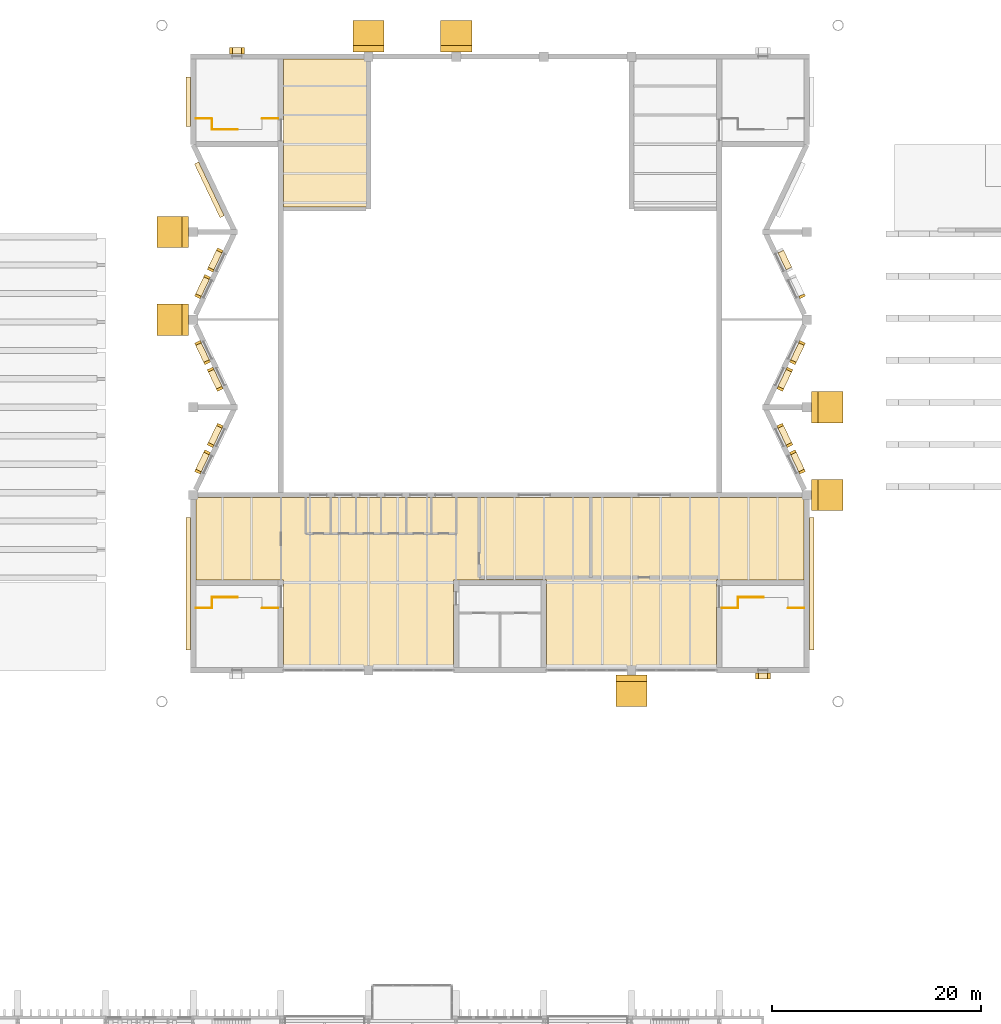
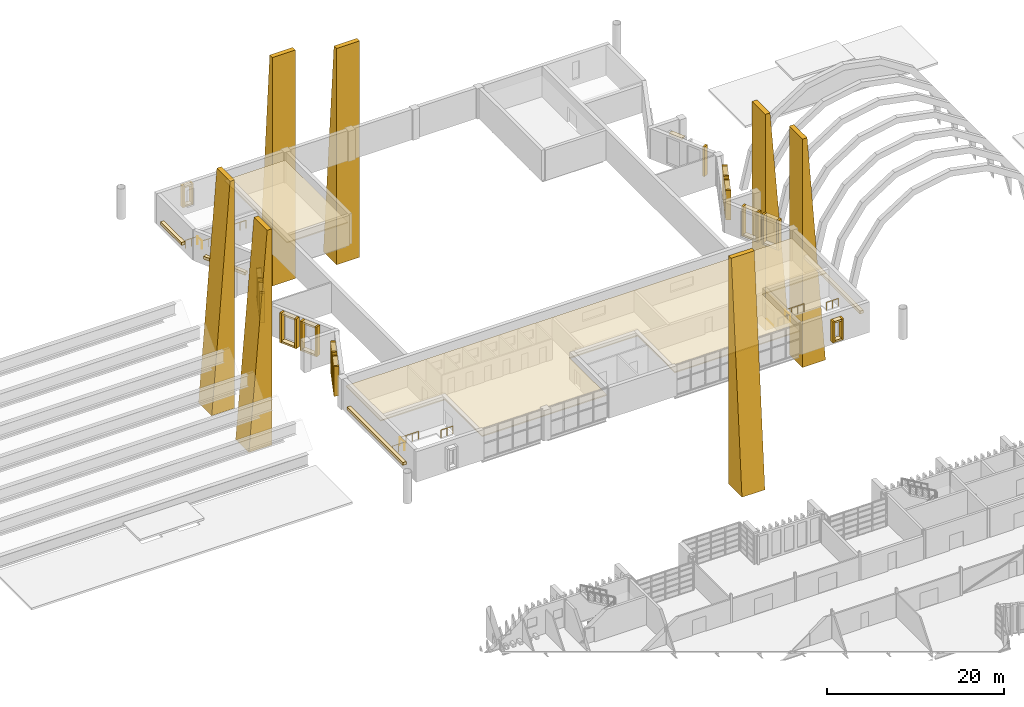
# One storey, part 83 of 88: 63 coverings, 12 railings.
"""IFC4 building model written with IfcOpenShell, lengths in metres."""

from ifc_helpers import new_model, si_unit, direction, frame, origin, origin_2d, place, context, subcontext, project, spatial, polyline, rectangle, circle, outline, extrude, material, layer, layer_set, type_object, element, save


model = new_model("IFC4")

# Units and contexts
model_context = context("Model", 3, precision=1e-05, world=origin(), true_north=direction((0.0, 1.0)))
body_context = subcontext(model_context, "Body", "Model", "MODEL_VIEW")
ifc_project = project(units=[si_unit("LENGTHUNIT", "METRE"), si_unit("AREAUNIT", "SQUARE_METRE"), si_unit("VOLUMEUNIT", "CUBIC_METRE"), si_unit("PLANEANGLEUNIT", "RADIAN"), si_unit("MASSUNIT", "GRAM", prefix="KILO")], contexts=[model_context])

# Site, building, storey
site_placement = place(None, origin())
site = spatial("IfcSite", under=ifc_project, at=site_placement, CompositionType="ELEMENT")
building_placement = place(site_placement, origin())
building = spatial("IfcBuilding", under=site, at=building_placement, Name="Cresset Court Congress Hotel", CompositionType="ELEMENT")
storey_placement = place(building_placement, frame((0.0, 0.0, 14.39990234375)))
storey = spatial("IfcBuildingStorey", under=building, at=storey_placement, Name="L03", CompositionType="ELEMENT", Elevation=14.39990234375)

# Railings
ifc_material_1 = material(Name="Steel and laminated glass", Category="steel")
railing_type = type_object("IfcRailingType", Name="Guard 1100 steel and glass", PredefinedType="GUARDRAIL", material=ifc_material_1)
railing_1_placement = place(storey_placement, frame((60.60009765625, 64.75, 0.0)))
element("IfcRailing", 1, at=railing_1_placement, inside=storey, type_object=railing_type, Name="Guard CC-C1L03d", PredefinedType="GUARDRAIL", context=body_context, shape_type="SweptSolid", body=[
    extrude(circle(Radius=0.02490234375, at=origin_2d()), frame((0.0, 0.0, 1.0751953125), z_axis=(0.0, 1.0, 0.0), x_axis=(-1.0, 0.0, 0.0)), (0.0, 0.0, 1.0), 1.050048828125),
    extrude(circle(Radius=0.02001953125, at=origin_2d()), origin(), (0.0, 0.0, 1.0), 1.050048828125),
    extrude(circle(Radius=0.02001953125, at=origin_2d()), frame((0.0, 1.050048828125, 0.0)), (0.0, 0.0, 1.0), 1.050048828125),
])
for number, where, name in (
    (2, (59.050048828125, 64.75, 0.0), "Guard CC-C1L03a"),
    (3, (65.39990234375, 64.75, 0.0), "Guard CC-C1L03b"),
):
    element("IfcRailing", number, at=place(storey_placement, frame(where)), inside=storey, type_object=railing_type, Name=name, PredefinedType="GUARDRAIL", context=body_context, shape_type="SweptSolid", body=[
        extrude(circle(Radius=0.02490234375, at=origin_2d()), frame((0.0, 0.0, 1.0751953125), z_axis=(1.0, 0.0, 0.0), x_axis=(0.0, 1.0, 0.0)), (0.0, 0.0, 1.0), 1.550048828125),
        extrude(circle(Radius=0.02001953125, at=origin_2d()), origin(), (0.0, 0.0, 1.0), 1.050048828125),
        extrude(circle(Radius=0.02001953125, at=origin_2d()), frame((0.77490234375, 0.0, 0.0)), (0.0, 0.0, 1.0), 1.050048828125),
        extrude(circle(Radius=0.02001953125, at=origin_2d()), frame((1.550048828125, 0.0, 0.0)), (0.0, 0.0, 1.0), 1.050048828125),
    ])
railing_2_placement = place(storey_placement, frame((60.60009765625, 65.800048828125, 0.0)))
element("IfcRailing", 4, at=railing_2_placement, inside=storey, type_object=railing_type, Name="Guard CC-C1L03c", PredefinedType="GUARDRAIL", context=body_context, shape_type="SweptSolid", body=[
    extrude(circle(Radius=0.02490234375, at=origin_2d()), frame((0.0, 0.0, 1.0751953125), z_axis=(1.0, 0.0, 0.0), x_axis=(0.0, 1.0, 0.0)), (0.0, 0.0, 1.0), 2.449951171875),
    extrude(circle(Radius=0.02001953125, at=origin_2d()), origin(), (0.0, 0.0, 1.0), 1.050048828125),
    extrude(circle(Radius=0.02001953125, at=origin_2d()), frame((0.816650390625, 0.0, 0.0)), (0.0, 0.0, 1.0), 1.050048828125),
    extrude(circle(Radius=0.02001953125, at=origin_2d()), frame((1.63330078125, 0.0, 0.0)), (0.0, 0.0, 1.0), 1.050048828125),
    extrude(circle(Radius=0.02001953125, at=origin_2d()), frame((2.449951171875, 0.0, 0.0)), (0.0, 0.0, 1.0), 1.050048828125),
])
railing_3_placement = place(storey_placement, frame((111.0, 64.75, 0.0)))
element("IfcRailing", 5, at=railing_3_placement, inside=storey, type_object=railing_type, Name="Guard CC-C2L03d", PredefinedType="GUARDRAIL", context=body_context, shape_type="SweptSolid", body=[
    extrude(circle(Radius=0.02490234375, at=origin_2d()), frame((0.0, 0.0, 1.0751953125), z_axis=(0.0, 1.0, 0.0), x_axis=(-1.0, 0.0, 0.0)), (0.0, 0.0, 1.0), 1.050048828125),
    extrude(circle(Radius=0.02001953125, at=origin_2d()), origin(), (0.0, 0.0, 1.0), 1.050048828125),
    extrude(circle(Radius=0.02001953125, at=origin_2d()), frame((0.0, 1.050048828125, 0.0)), (0.0, 0.0, 1.0), 1.050048828125),
])
for number, where, name in (
    (6, (109.449951171875, 64.75, 0.0), "Guard CC-C2L03a"),
    (7, (115.800048828125, 64.75, 0.0), "Guard CC-C2L03b"),
):
    element("IfcRailing", number, at=place(storey_placement, frame(where)), inside=storey, type_object=railing_type, Name=name, PredefinedType="GUARDRAIL", context=body_context, shape_type="SweptSolid", body=[
        extrude(circle(Radius=0.02490234375, at=origin_2d()), frame((0.0, 0.0, 1.0751953125), z_axis=(1.0, 0.0, 0.0), x_axis=(0.0, 1.0, 0.0)), (0.0, 0.0, 1.0), 1.550048828125),
        extrude(circle(Radius=0.02001953125, at=origin_2d()), origin(), (0.0, 0.0, 1.0), 1.050048828125),
        extrude(circle(Radius=0.02001953125, at=origin_2d()), frame((0.77490234375, 0.0, 0.0)), (0.0, 0.0, 1.0), 1.050048828125),
        extrude(circle(Radius=0.02001953125, at=origin_2d()), frame((1.550048828125, 0.0, 0.0)), (0.0, 0.0, 1.0), 1.050048828125),
    ])
railing_4_placement = place(storey_placement, frame((111.0, 65.800048828125, 0.0)))
element("IfcRailing", 8, at=railing_4_placement, inside=storey, type_object=railing_type, Name="Guard CC-C2L03c", PredefinedType="GUARDRAIL", context=body_context, shape_type="SweptSolid", body=[
    extrude(circle(Radius=0.02490234375, at=origin_2d()), frame((0.0, 0.0, 1.0751953125), z_axis=(1.0, 0.0, 0.0), x_axis=(0.0, 1.0, 0.0)), (0.0, 0.0, 1.0), 2.449951171875),
    extrude(circle(Radius=0.02001953125, at=origin_2d()), origin(), (0.0, 0.0, 1.0), 1.050048828125),
    extrude(circle(Radius=0.02001953125, at=origin_2d()), frame((0.816650390625, 0.0, 0.0)), (0.0, 0.0, 1.0), 1.050048828125),
    extrude(circle(Radius=0.02001953125, at=origin_2d()), frame((1.63330078125, 0.0, 0.0)), (0.0, 0.0, 1.0), 1.050048828125),
    extrude(circle(Radius=0.02001953125, at=origin_2d()), frame((2.449951171875, 0.0, 0.0)), (0.0, 0.0, 1.0), 1.050048828125),
])
railing_5_placement = place(storey_placement, frame((60.60009765625, 111.64990234375, 0.0)))
element("IfcRailing", 9, at=railing_5_placement, inside=storey, type_object=railing_type, Name="Guard CC-C3L03d", PredefinedType="GUARDRAIL", context=body_context, shape_type="SweptSolid", body=[
    extrude(circle(Radius=0.02490234375, at=origin_2d()), frame((0.0, 0.0, 1.0751953125), z_axis=(0.0, -1.0, 0.0), x_axis=(1.0, 0.0, 0.0)), (0.0, 0.0, 1.0), 1.0498046875),
    extrude(circle(Radius=0.02001953125, at=origin_2d()), origin(), (0.0, 0.0, 1.0), 1.050048828125),
    extrude(circle(Radius=0.02001953125, at=origin_2d()), frame((0.0, -1.0498046875, 0.0)), (0.0, 0.0, 1.0), 1.050048828125),
])
for number, where, name in (
    (10, (59.050048828125, 111.64990234375, 0.0), "Guard CC-C3L03a"),
    (11, (65.39990234375, 111.64990234375, 0.0), "Guard CC-C3L03b"),
):
    element("IfcRailing", number, at=place(storey_placement, frame(where)), inside=storey, type_object=railing_type, Name=name, PredefinedType="GUARDRAIL", context=body_context, shape_type="SweptSolid", body=[
        extrude(circle(Radius=0.02490234375, at=origin_2d()), frame((0.0, 0.0, 1.0751953125), z_axis=(1.0, 0.0, 0.0), x_axis=(0.0, 1.0, 0.0)), (0.0, 0.0, 1.0), 1.550048828125),
        extrude(circle(Radius=0.02001953125, at=origin_2d()), origin(), (0.0, 0.0, 1.0), 1.050048828125),
        extrude(circle(Radius=0.02001953125, at=origin_2d()), frame((0.77490234375, 0.0, 0.0)), (0.0, 0.0, 1.0), 1.050048828125),
        extrude(circle(Radius=0.02001953125, at=origin_2d()), frame((1.550048828125, 0.0, 0.0)), (0.0, 0.0, 1.0), 1.050048828125),
    ])
railing_6_placement = place(storey_placement, frame((60.60009765625, 110.60009765625, 0.0)))
element("IfcRailing", 12, at=railing_6_placement, inside=storey, type_object=railing_type, Name="Guard CC-C3L03c", PredefinedType="GUARDRAIL", context=body_context, shape_type="SweptSolid", body=[
    extrude(circle(Radius=0.02490234375, at=origin_2d()), frame((0.0, 0.0, 1.0751953125), z_axis=(1.0, 0.0, 0.0), x_axis=(0.0, 1.0, 0.0)), (0.0, 0.0, 1.0), 2.449951171875),
    extrude(circle(Radius=0.02001953125, at=origin_2d()), origin(), (0.0, 0.0, 1.0), 1.050048828125),
    extrude(circle(Radius=0.02001953125, at=origin_2d()), frame((0.816650390625, 0.0, 0.0)), (0.0, 0.0, 1.0), 1.050048828125),
    extrude(circle(Radius=0.02001953125, at=origin_2d()), frame((1.63330078125, 0.0, 0.0)), (0.0, 0.0, 1.0), 1.050048828125),
    extrude(circle(Radius=0.02001953125, at=origin_2d()), frame((2.449951171875, 0.0, 0.0)), (0.0, 0.0, 1.0), 1.050048828125),
])

# Coverings
ifc_material_2 = material(Name="Precast concrete C50", Category="concrete")
covering_type_1 = type_object("IfcCoveringType", Name="Precast reveal band 450x400", PredefinedType="CLADDING", material=ifc_material_2)
covering_1_placement = place(storey_placement, frame((118.074951171875, 67.10009765625, 1.150146484375), z_axis=(0.0, 0.0, 1.0), x_axis=(0.0, -1.0, 0.0)))
element("IfcCovering", 13, at=covering_1_placement, inside=storey, type_object=covering_type_1, Name="Reveal band E.L03.00a.1", PredefinedType="CLADDING", context=body_context, shape_type="SweptSolid", body=[
    extrude(rectangle(XDim=12.699951171875, YDim=0.449951171875, at=origin_2d()), origin(), (0.0, 0.0, 1.0), 0.39990234375),
])
covering_2_placement = place(storey_placement, frame((58.324951171875, 113.27490234375, 1.150146484375), z_axis=(0.0, 0.0, 1.0), x_axis=(0.0, 1.0, 0.0)))
element("IfcCovering", 14, at=covering_2_placement, inside=storey, type_object=covering_type_1, Name="Reveal band W.L03.00a0.1", PredefinedType="CLADDING", context=body_context, shape_type="SweptSolid", body=[
    extrude(rectangle(XDim=4.75, YDim=0.449951171875, at=origin_2d()), origin(), (0.0, 0.0, 1.0), 0.39990234375),
])
covering_3_placement = place(storey_placement, frame((60.350341796875, 104.839599609375, 1.150146484375), z_axis=(0.0, 0.0, 1.0), x_axis=(-0.429932870312, 0.902860856957, 0.0)))
element("IfcCovering", 15, at=covering_3_placement, inside=storey, type_object=covering_type_1, Name="Reveal band W.L03.00a1.1", PredefinedType="CLADDING", context=body_context, shape_type="SweptSolid", body=[
    extrude(rectangle(XDim=5.696044921875, YDim=0.449951171875, at=origin_2d()), origin(), (0.0, 0.0, 1.0), 0.39990234375),
])
covering_4_placement = place(storey_placement, frame((58.324951171875, 67.10009765625, 1.150146484375), z_axis=(0.0, 0.0, 1.0), x_axis=(0.0, 1.0, 0.0)))
element("IfcCovering", 16, at=covering_4_placement, inside=storey, type_object=covering_type_1, Name="Reveal band W.L03.04a.1", PredefinedType="CLADDING", context=body_context, shape_type="SweptSolid", body=[
    extrude(rectangle(XDim=12.699951171875, YDim=0.449951171875, at=origin_2d()), origin(), (0.0, 0.0, 1.0), 0.39990234375),
])
ifc_material_3 = material(Name="Precast concrete C50", Category="concrete")
covering_type_2 = type_object("IfcCoveringType", Name="Precast reveal frame member 250x600", PredefinedType="CLADDING", material=ifc_material_3)
for number, where, z_axis, x_axis, name in (
    (17, (60.469970703125, 97.18603515625, 0.050048828125), (0.0, 0.0, 1.0), (0.429932870312, 0.902860856957, 0.0), "Reveal frame NC-03-W0197a"),
    (18, (61.351318359375, 99.036865234375, 0.050048828125), (0.0, 0.0, 1.0), (0.429932870312, 0.902860856957, 0.0), "Reveal frame NC-03-W0197b"),
):
    element("IfcCovering", number, at=place(storey_placement, frame(where, z_axis=z_axis, x_axis=x_axis)), inside=storey, type_object=covering_type_2, Name=name, PredefinedType="CLADDING", context=body_context, shape_type="SweptSolid", body=[
        extrude(rectangle(XDim=0.25, YDim=0.60009765625, at=origin_2d()), origin(), (0.0, 0.0, 1.0), 4.10009765625),
    ])
for number, where, z_axis, x_axis, name in (
    (19, (60.91064453125, 98.111572265625, 3.900146484375), (0.0, 0.0, 1.0), (0.429932870312, 0.902860856957, 0.0), "Reveal frame NC-03-W0197c"),
    (20, (60.91064453125, 98.111572265625, 0.050048828125), (0.0, 0.0, 1.0), (0.429932870312, 0.902860856957, 0.0), "Reveal frame NC-03-W0197d"),
):
    element("IfcCovering", number, at=place(storey_placement, frame(where, z_axis=z_axis, x_axis=x_axis)), inside=storey, type_object=covering_type_2, Name=name, PredefinedType="CLADDING", context=body_context, shape_type="SweptSolid", body=[
        extrude(rectangle(XDim=1.800048828125, YDim=0.60009765625, at=origin_2d()), origin(), (0.0, 0.0, 1.0), 0.25),
    ])
for number, where, z_axis, x_axis, name in (
    (21, (59.255615234375, 94.635986328125, 0.050048828125), (0.0, 0.0, 1.0), (0.429932870312, 0.902860856957, 0.0), "Reveal frame NC-03-W0222a"),
    (22, (60.136962890625, 96.48681640625, 0.050048828125), (0.0, 0.0, 1.0), (0.429932870312, 0.902860856957, 0.0), "Reveal frame NC-03-W0222b"),
):
    element("IfcCovering", number, at=place(storey_placement, frame(where, z_axis=z_axis, x_axis=x_axis)), inside=storey, type_object=covering_type_2, Name=name, PredefinedType="CLADDING", context=body_context, shape_type="SweptSolid", body=[
        extrude(rectangle(XDim=0.25, YDim=0.60009765625, at=origin_2d()), origin(), (0.0, 0.0, 1.0), 4.10009765625),
    ])
for number, where, z_axis, x_axis, name in (
    (23, (59.6962890625, 95.5615234375, 3.900146484375), (0.0, 0.0, 1.0), (0.429932870312, 0.902860856957, 0.0), "Reveal frame NC-03-W0222c"),
    (24, (59.6962890625, 95.5615234375, 0.050048828125), (0.0, 0.0, 1.0), (0.429932870312, 0.902860856957, 0.0), "Reveal frame NC-03-W0222d"),
):
    element("IfcCovering", number, at=place(storey_placement, frame(where, z_axis=z_axis, x_axis=x_axis)), inside=storey, type_object=covering_type_2, Name=name, PredefinedType="CLADDING", context=body_context, shape_type="SweptSolid", body=[
        extrude(rectangle(XDim=1.800048828125, YDim=0.60009765625, at=origin_2d()), origin(), (0.0, 0.0, 1.0), 0.25),
    ])
for number, where, z_axis, x_axis, name in (
    (25, (60.136962890625, 88.31298828125, 0.050048828125), (0.0, 0.0, 1.0), (-0.429932870312, 0.902860856957, 0.0), "Reveal frame NC-03-W0281a"),
    (26, (59.255615234375, 90.163818359375, 0.050048828125), (0.0, 0.0, 1.0), (-0.429932870312, 0.902860856957, 0.0), "Reveal frame NC-03-W0281b"),
):
    element("IfcCovering", number, at=place(storey_placement, frame(where, z_axis=z_axis, x_axis=x_axis)), inside=storey, type_object=covering_type_2, Name=name, PredefinedType="CLADDING", context=body_context, shape_type="SweptSolid", body=[
        extrude(rectangle(XDim=0.25, YDim=0.60009765625, at=origin_2d()), origin(), (0.0, 0.0, 1.0), 4.10009765625),
    ])
for number, where, z_axis, x_axis, name in (
    (27, (59.6962890625, 89.238525390625, 3.900146484375), (0.0, 0.0, 1.0), (-0.429932870312, 0.902860856957, 0.0), "Reveal frame NC-03-W0281c"),
    (28, (59.6962890625, 89.238525390625, 0.050048828125), (0.0, 0.0, 1.0), (-0.429932870312, 0.902860856957, 0.0), "Reveal frame NC-03-W0281d"),
):
    element("IfcCovering", number, at=place(storey_placement, frame(where, z_axis=z_axis, x_axis=x_axis)), inside=storey, type_object=covering_type_2, Name=name, PredefinedType="CLADDING", context=body_context, shape_type="SweptSolid", body=[
        extrude(rectangle(XDim=1.800048828125, YDim=0.60009765625, at=origin_2d()), origin(), (0.0, 0.0, 1.0), 0.25),
    ])
for number, where, z_axis, x_axis, name in (
    (29, (61.351318359375, 85.76318359375, 0.050048828125), (0.0, 0.0, 1.0), (-0.429932870312, 0.902860856957, 0.0), "Reveal frame NC-03-W0306a"),
    (30, (60.469970703125, 87.614013671875, 0.050048828125), (0.0, 0.0, 1.0), (-0.429932870312, 0.902860856957, 0.0), "Reveal frame NC-03-W0306b"),
):
    element("IfcCovering", number, at=place(storey_placement, frame(where, z_axis=z_axis, x_axis=x_axis)), inside=storey, type_object=covering_type_2, Name=name, PredefinedType="CLADDING", context=body_context, shape_type="SweptSolid", body=[
        extrude(rectangle(XDim=0.25, YDim=0.60009765625, at=origin_2d()), origin(), (0.0, 0.0, 1.0), 4.10009765625),
    ])
for number, where, z_axis, x_axis, name in (
    (31, (60.91064453125, 86.6884765625, 3.900146484375), (0.0, 0.0, 1.0), (-0.429932870312, 0.902860856957, 0.0), "Reveal frame NC-03-W0306c"),
    (32, (60.91064453125, 86.6884765625, 0.050048828125), (0.0, 0.0, 1.0), (-0.429932870312, 0.902860856957, 0.0), "Reveal frame NC-03-W0306d"),
):
    element("IfcCovering", number, at=place(storey_placement, frame(where, z_axis=z_axis, x_axis=x_axis)), inside=storey, type_object=covering_type_2, Name=name, PredefinedType="CLADDING", context=body_context, shape_type="SweptSolid", body=[
        extrude(rectangle(XDim=1.800048828125, YDim=0.60009765625, at=origin_2d()), origin(), (0.0, 0.0, 1.0), 0.25),
    ])
for number, where, z_axis, x_axis, name in (
    (33, (60.469970703125, 80.385986328125, 0.050048828125), (0.0, 0.0, 1.0), (0.429932870312, 0.902860856957, 0.0), "Reveal frame NC-03-W0365a"),
    (34, (61.351318359375, 82.23681640625, 0.050048828125), (0.0, 0.0, 1.0), (0.429932870312, 0.902860856957, 0.0), "Reveal frame NC-03-W0365b"),
):
    element("IfcCovering", number, at=place(storey_placement, frame(where, z_axis=z_axis, x_axis=x_axis)), inside=storey, type_object=covering_type_2, Name=name, PredefinedType="CLADDING", context=body_context, shape_type="SweptSolid", body=[
        extrude(rectangle(XDim=0.25, YDim=0.60009765625, at=origin_2d()), origin(), (0.0, 0.0, 1.0), 4.10009765625),
    ])
for number, where, z_axis, x_axis, name in (
    (35, (60.91064453125, 81.3115234375, 3.900146484375), (0.0, 0.0, 1.0), (0.429932870312, 0.902860856957, 0.0), "Reveal frame NC-03-W0365c"),
    (36, (60.91064453125, 81.3115234375, 0.050048828125), (0.0, 0.0, 1.0), (0.429932870312, 0.902860856957, 0.0), "Reveal frame NC-03-W0365d"),
):
    element("IfcCovering", number, at=place(storey_placement, frame(where, z_axis=z_axis, x_axis=x_axis)), inside=storey, type_object=covering_type_2, Name=name, PredefinedType="CLADDING", context=body_context, shape_type="SweptSolid", body=[
        extrude(rectangle(XDim=1.800048828125, YDim=0.60009765625, at=origin_2d()), origin(), (0.0, 0.0, 1.0), 0.25),
    ])
for number, where, z_axis, x_axis, name in (
    (37, (59.255615234375, 77.8359375, 0.050048828125), (0.0, 0.0, 1.0), (0.429932870312, 0.902860856957, 0.0), "Reveal frame NC-03-W0390a"),
    (38, (60.136962890625, 79.68701171875, 0.050048828125), (0.0, 0.0, 1.0), (0.429932870312, 0.902860856957, 0.0), "Reveal frame NC-03-W0390b"),
):
    element("IfcCovering", number, at=place(storey_placement, frame(where, z_axis=z_axis, x_axis=x_axis)), inside=storey, type_object=covering_type_2, Name=name, PredefinedType="CLADDING", context=body_context, shape_type="SweptSolid", body=[
        extrude(rectangle(XDim=0.25, YDim=0.60009765625, at=origin_2d()), origin(), (0.0, 0.0, 1.0), 4.10009765625),
    ])
for number, where, z_axis, x_axis, name in (
    (39, (59.6962890625, 78.761474609375, 3.900146484375), (0.0, 0.0, 1.0), (0.429932870312, 0.902860856957, 0.0), "Reveal frame NC-03-W0390c"),
    (40, (59.6962890625, 78.761474609375, 0.050048828125), (0.0, 0.0, 1.0), (0.429932870312, 0.902860856957, 0.0), "Reveal frame NC-03-W0390d"),
):
    element("IfcCovering", number, at=place(storey_placement, frame(where, z_axis=z_axis, x_axis=x_axis)), inside=storey, type_object=covering_type_2, Name=name, PredefinedType="CLADDING", context=body_context, shape_type="SweptSolid", body=[
        extrude(rectangle(XDim=1.800048828125, YDim=0.60009765625, at=origin_2d()), origin(), (0.0, 0.0, 1.0), 0.25),
    ])
for number, where, z_axis, x_axis, name in (
    (41, (116.262939453125, 79.68701171875, 0.050048828125), (0.0, 0.0, 1.0), (0.429932870312, -0.902860856957, 0.0), "Reveal frame NC-03-E0197a"),
    (42, (117.144287109375, 77.836181640625, 0.050048828125), (0.0, 0.0, 1.0), (0.429932870312, -0.902860856957, 0.0), "Reveal frame NC-03-E0197b"),
):
    element("IfcCovering", number, at=place(storey_placement, frame(where, z_axis=z_axis, x_axis=x_axis)), inside=storey, type_object=covering_type_2, Name=name, PredefinedType="CLADDING", context=body_context, shape_type="SweptSolid", body=[
        extrude(rectangle(XDim=0.25, YDim=0.60009765625, at=origin_2d()), origin(), (0.0, 0.0, 1.0), 4.10009765625),
    ])
for number, where, z_axis, x_axis, name in (
    (43, (116.70361328125, 78.761474609375, 3.900146484375), (0.0, 0.0, 1.0), (0.429932870312, -0.902860856957, 0.0), "Reveal frame NC-03-E0197c"),
    (44, (116.70361328125, 78.761474609375, 0.050048828125), (0.0, 0.0, 1.0), (0.429932870312, -0.902860856957, 0.0), "Reveal frame NC-03-E0197d"),
):
    element("IfcCovering", number, at=place(storey_placement, frame(where, z_axis=z_axis, x_axis=x_axis)), inside=storey, type_object=covering_type_2, Name=name, PredefinedType="CLADDING", context=body_context, shape_type="SweptSolid", body=[
        extrude(rectangle(XDim=1.800048828125, YDim=0.60009765625, at=origin_2d()), origin(), (0.0, 0.0, 1.0), 0.25),
    ])
for number, where, z_axis, x_axis, name in (
    (45, (115.048828125, 82.23681640625, 0.050048828125), (0.0, 0.0, 1.0), (0.429932870312, -0.902860856957, 0.0), "Reveal frame NC-03-E0222a"),
    (46, (115.93017578125, 80.385986328125, 0.050048828125), (0.0, 0.0, 1.0), (0.429932870312, -0.902860856957, 0.0), "Reveal frame NC-03-E0222b"),
):
    element("IfcCovering", number, at=place(storey_placement, frame(where, z_axis=z_axis, x_axis=x_axis)), inside=storey, type_object=covering_type_2, Name=name, PredefinedType="CLADDING", context=body_context, shape_type="SweptSolid", body=[
        extrude(rectangle(XDim=0.25, YDim=0.60009765625, at=origin_2d()), origin(), (0.0, 0.0, 1.0), 4.10009765625),
    ])
for number, where, z_axis, x_axis, name in (
    (47, (115.489501953125, 81.3115234375, 3.900146484375), (0.0, 0.0, 1.0), (0.429932870312, -0.902860856957, 0.0), "Reveal frame NC-03-E0222c"),
    (48, (115.489501953125, 81.3115234375, 0.050048828125), (0.0, 0.0, 1.0), (0.429932870312, -0.902860856957, 0.0), "Reveal frame NC-03-E0222d"),
):
    element("IfcCovering", number, at=place(storey_placement, frame(where, z_axis=z_axis, x_axis=x_axis)), inside=storey, type_object=covering_type_2, Name=name, PredefinedType="CLADDING", context=body_context, shape_type="SweptSolid", body=[
        extrude(rectangle(XDim=1.800048828125, YDim=0.60009765625, at=origin_2d()), origin(), (0.0, 0.0, 1.0), 0.25),
    ])
for number, where, z_axis, x_axis, name in (
    (49, (115.93017578125, 87.614013671875, 0.050048828125), (0.0, 0.0, 1.0), (-0.429932870312, -0.902860856957, 0.0), "Reveal frame NC-03-E0281a"),
    (50, (115.048583984375, 85.76318359375, 0.050048828125), (0.0, 0.0, 1.0), (-0.429932870312, -0.902860856957, 0.0), "Reveal frame NC-03-E0281b"),
):
    element("IfcCovering", number, at=place(storey_placement, frame(where, z_axis=z_axis, x_axis=x_axis)), inside=storey, type_object=covering_type_2, Name=name, PredefinedType="CLADDING", context=body_context, shape_type="SweptSolid", body=[
        extrude(rectangle(XDim=0.25, YDim=0.60009765625, at=origin_2d()), origin(), (0.0, 0.0, 1.0), 4.10009765625),
    ])
for number, where, z_axis, x_axis, name in (
    (51, (115.489501953125, 86.6884765625, 3.900146484375), (0.0, 0.0, 1.0), (-0.429932870312, -0.902860856957, 0.0), "Reveal frame NC-03-E0281c"),
    (52, (115.489501953125, 86.6884765625, 0.050048828125), (0.0, 0.0, 1.0), (-0.429932870312, -0.902860856957, 0.0), "Reveal frame NC-03-E0281d"),
):
    element("IfcCovering", number, at=place(storey_placement, frame(where, z_axis=z_axis, x_axis=x_axis)), inside=storey, type_object=covering_type_2, Name=name, PredefinedType="CLADDING", context=body_context, shape_type="SweptSolid", body=[
        extrude(rectangle(XDim=1.800048828125, YDim=0.60009765625, at=origin_2d()), origin(), (0.0, 0.0, 1.0), 0.25),
    ])
for number, where, z_axis, x_axis, name in (
    (53, (117.144287109375, 90.1640625, 0.050048828125), (0.0, 0.0, 1.0), (-0.429932870312, -0.902860856957, 0.0), "Reveal frame NC-03-E0306a"),
    (54, (116.262939453125, 88.31298828125, 0.050048828125), (0.0, 0.0, 1.0), (-0.429932870312, -0.902860856957, 0.0), "Reveal frame NC-03-E0306b"),
):
    element("IfcCovering", number, at=place(storey_placement, frame(where, z_axis=z_axis, x_axis=x_axis)), inside=storey, type_object=covering_type_2, Name=name, PredefinedType="CLADDING", context=body_context, shape_type="SweptSolid", body=[
        extrude(rectangle(XDim=0.25, YDim=0.60009765625, at=origin_2d()), origin(), (0.0, 0.0, 1.0), 4.10009765625),
    ])
for number, where, z_axis, x_axis, name in (
    (55, (116.70361328125, 89.238525390625, 3.900146484375), (0.0, 0.0, 1.0), (-0.429932870312, -0.902860856957, 0.0), "Reveal frame NC-03-E0306c"),
    (56, (116.70361328125, 89.238525390625, 0.050048828125), (0.0, 0.0, 1.0), (-0.429932870312, -0.902860856957, 0.0), "Reveal frame NC-03-E0306d"),
):
    element("IfcCovering", number, at=place(storey_placement, frame(where, z_axis=z_axis, x_axis=x_axis)), inside=storey, type_object=covering_type_2, Name=name, PredefinedType="CLADDING", context=body_context, shape_type="SweptSolid", body=[
        extrude(rectangle(XDim=1.800048828125, YDim=0.60009765625, at=origin_2d()), origin(), (0.0, 0.0, 1.0), 0.25),
    ])
covering_5_placement = place(storey_placement, frame((117.144287109375, 94.635986328125, 0.050048828125), z_axis=(0.0, 0.0, 1.0), x_axis=(0.429932870312, -0.902860856957, 0.0)))
element("IfcCovering", 57, at=covering_5_placement, inside=storey, type_object=covering_type_2, Name="Reveal frame NC-03-E0365b", PredefinedType="CLADDING", context=body_context, shape_type="SweptSolid", body=[
    extrude(rectangle(XDim=0.25, YDim=0.60009765625, at=origin_2d()), origin(), (0.0, 0.0, 1.0), 4.10009765625),
])
covering_6_placement = place(storey_placement, frame((115.489501953125, 98.111572265625, 3.900146484375), z_axis=(0.0, 0.0, 1.0), x_axis=(0.429932870312, -0.902860856957, 0.0)))
element("IfcCovering", 58, at=covering_6_placement, inside=storey, type_object=covering_type_2, Name="Reveal frame NC-03-E0390c", PredefinedType="CLADDING", context=body_context, shape_type="SweptSolid", body=[
    extrude(rectangle(XDim=1.800048828125, YDim=0.60009765625, at=origin_2d()), origin(), (0.0, 0.0, 1.0), 0.25),
])
for number, where, z_axis, x_axis, name in (
    (59, (113.97509765625, 58.25, 0.650146484375), (0.0, 0.0, 1.0), (1.0, 0.0, 0.0), "Reveal frame NC-03-C2a"),
    (60, (112.824951171875, 58.25, 0.650146484375), (0.0, 0.0, 1.0), (1.0, 0.0, 0.0), "Reveal frame NC-03-C2b"),
):
    element("IfcCovering", number, at=place(storey_placement, frame(where, z_axis=z_axis, x_axis=x_axis)), inside=storey, type_object=covering_type_2, Name=name, PredefinedType="CLADDING", context=body_context, shape_type="SweptSolid", body=[
        extrude(rectangle(XDim=0.25, YDim=0.60009765625, at=origin_2d()), origin(), (0.0, 0.0, 1.0), 2.89990234375),
    ])
for number, where, z_axis, x_axis, name in (
    (61, (113.39990234375, 58.25, 3.300048828125), (0.0, 0.0, 1.0), (1.0, 0.0, 0.0), "Reveal frame NC-03-C2c"),
    (62, (113.39990234375, 58.25, 0.650146484375), (0.0, 0.0, 1.0), (1.0, 0.0, 0.0), "Reveal frame NC-03-C2d"),
):
    element("IfcCovering", number, at=place(storey_placement, frame(where, z_axis=z_axis, x_axis=x_axis)), inside=storey, type_object=covering_type_2, Name=name, PredefinedType="CLADDING", context=body_context, shape_type="SweptSolid", body=[
        extrude(rectangle(XDim=0.89990234375, YDim=0.60009765625, at=origin_2d()), origin(), (0.0, 0.0, 1.0), 0.25),
    ])
for number, where, z_axis, x_axis, name in (
    (63, (62.425048828125, 118.14990234375, 0.650146484375), (0.0, 0.0, 1.0), (1.0, 0.0, 0.0), "Reveal frame NC-03-C3a"),
    (64, (63.574951171875, 118.14990234375, 0.650146484375), (0.0, 0.0, 1.0), (1.0, 0.0, 0.0), "Reveal frame NC-03-C3b"),
):
    element("IfcCovering", number, at=place(storey_placement, frame(where, z_axis=z_axis, x_axis=x_axis)), inside=storey, type_object=covering_type_2, Name=name, PredefinedType="CLADDING", context=body_context, shape_type="SweptSolid", body=[
        extrude(rectangle(XDim=0.25, YDim=0.60009765625, at=origin_2d()), origin(), (0.0, 0.0, 1.0), 2.89990234375),
    ])
for number, where, z_axis, x_axis, name in (
    (65, (63.0, 118.14990234375, 3.300048828125), (0.0, 0.0, 1.0), (1.0, 0.0, 0.0), "Reveal frame NC-03-C3c"),
    (66, (63.0, 118.14990234375, 0.650146484375), (0.0, 0.0, 1.0), (1.0, 0.0, 0.0), "Reveal frame NC-03-C3d"),
):
    element("IfcCovering", number, at=place(storey_placement, frame(where, z_axis=z_axis, x_axis=x_axis)), inside=storey, type_object=covering_type_2, Name=name, PredefinedType="CLADDING", context=body_context, shape_type="SweptSolid", body=[
        extrude(rectangle(XDim=0.89990234375, YDim=0.60009765625, at=origin_2d()), origin(), (0.0, 0.0, 1.0), 0.25),
    ])
ifc_material_4 = material(Name="Board-marked concrete C50", Category="concrete")
covering_type_3 = type_object("IfcCoveringType", Name="Raked buttress 3000", PredefinedType="CLADDING", material=ifc_material_4)
covering_7_placement = place(storey_placement, frame((102.300048828125, 58.35009765625, 17.17626953125), z_axis=(1.0, 0.0, 0.0), x_axis=(0.0, -1.0, 0.0)))
element("IfcCovering", 67, at=covering_7_placement, inside=storey, type_object=covering_type_3, Name="Buttress CB-S2", PredefinedType="CLADDING", context=body_context, shape_type="SweptSolid", body=[
    extrude(outline(polyline([(0.0, 0.0), (0.60009765625, 0.0), (3.0, 31.576171875), (0.0, 31.576171875), (0.0, 0.0)])), origin(), (0.0, 0.0, -1.0), 3.0),
])
covering_8_placement = place(storey_placement, frame((0.0, 75.60009765625, -14.39990234375)))
element("IfcCovering", 68, at=covering_8_placement, inside=storey, type_object=covering_type_3, Name="Buttress CB-E1", PredefinedType="CLADDING", context=body_context, shape_type="SweptSolid", body=[
    extrude(outline(polyline([(118.050048828125, 0.0), (121.050048828125, 0.0), (118.64990234375, 31.576171875), (118.050048828125, 31.576171875), (118.050048828125, 0.0)])), frame((0.0, 1.5, 0.0), z_axis=(0.0, -1.0, 0.0), x_axis=(1.0, 0.0, 0.0)), (0.0, 0.0, 1.0), 3.0),
])
covering_9_placement = place(storey_placement, frame((0.0, 84.0, -14.39990234375)))
element("IfcCovering", 69, at=covering_9_placement, inside=storey, type_object=covering_type_3, Name="Buttress CB-E2", PredefinedType="CLADDING", context=body_context, shape_type="SweptSolid", body=[
    extrude(outline(polyline([(118.050048828125, 0.0), (121.050048828125, 0.0), (118.64990234375, 29.890380859375), (118.050048828125, 29.890380859375), (118.050048828125, 0.0)])), frame((0.0, 1.5, 0.0), z_axis=(0.0, -1.0, 0.0), x_axis=(1.0, 0.0, 0.0)), (0.0, 0.0, 1.0), 3.0),
])
covering_10_placement = place(storey_placement, frame((85.5, 118.050048828125, -14.39990234375), z_axis=(1.0, 0.0, 0.0), x_axis=(0.0, 1.0, 0.0)))
element("IfcCovering", 70, at=covering_10_placement, inside=storey, type_object=covering_type_3, Name="Buttress CB-N3", PredefinedType="CLADDING", context=body_context, shape_type="SweptSolid", body=[
    extrude(outline(polyline([(0.0, 0.0), (3.0, 0.0), (0.599853515625, 29.890380859375), (0.0, 29.890380859375), (0.0, 0.0)])), origin(), (0.0, 0.0, -1.0), 3.0),
])
covering_11_placement = place(storey_placement, frame((77.10009765625, 118.050048828125, -14.39990234375), z_axis=(1.0, 0.0, 0.0), x_axis=(0.0, 1.0, 0.0)))
element("IfcCovering", 71, at=covering_11_placement, inside=storey, type_object=covering_type_3, Name="Buttress CB-N4", PredefinedType="CLADDING", context=body_context, shape_type="SweptSolid", body=[
    extrude(outline(polyline([(0.0, 0.0), (3.0, 0.0), (0.599853515625, 31.576171875), (0.0, 31.576171875), (0.0, 0.0)])), origin(), (0.0, 0.0, -1.0), 3.0),
])
covering_12_placement = place(storey_placement, frame((0.0, 100.800048828125, -14.39990234375)))
element("IfcCovering", 72, at=covering_12_placement, inside=storey, type_object=covering_type_3, Name="Buttress CB-W1", PredefinedType="CLADDING", context=body_context, shape_type="SweptSolid", body=[
    extrude(outline(polyline([(58.35009765625, 31.576171875), (57.75, 31.576171875), (55.35009765625, 0.0), (58.35009765625, 0.0), (58.35009765625, 31.576171875)])), frame((0.0, 1.5, 0.0), z_axis=(0.0, -1.0, 0.0), x_axis=(1.0, 0.0, 0.0)), (0.0, 0.0, 1.0), 3.0),
])
covering_13_placement = place(storey_placement, frame((0.0, 92.39990234375, -14.39990234375)))
element("IfcCovering", 73, at=covering_13_placement, inside=storey, type_object=covering_type_3, Name="Buttress CB-W2", PredefinedType="CLADDING", context=body_context, shape_type="SweptSolid", body=[
    extrude(outline(polyline([(58.35009765625, 29.890380859375), (57.75, 29.890380859375), (55.35009765625, 0.0), (58.35009765625, 0.0), (58.35009765625, 29.890380859375)])), frame((0.0, 1.5, 0.0), z_axis=(0.0, -1.0, 0.0), x_axis=(1.0, 0.0, 0.0)), (0.0, 0.0, 1.0), 3.0),
])
ifc_material_5 = material(Name="Mineral fibre ceiling tile")
ifc_layer = layer(ifc_material_5, 0.14990234375)
ifc_layer_set = layer_set([ifc_layer], Name="Suspended ceiling 150")
covering_type_4 = type_object("IfcCoveringType", Name="Suspended ceiling 150", PredefinedType="CEILING", material=ifc_layer_set)
covering_14_placement = place(storey_placement, frame((0.0, 0.0, 2.85009765625)))
element("IfcCovering", 74, at=covering_14_placement, inside=storey, type_object=covering_type_4, Name="Ceiling CC-1", PredefinedType="CEILING", context=body_context, shape_type="SweptSolid", body=[
    extrude(outline(polyline([(108.949951171875, 59.050048828125), (92.64990234375, 59.050048828125), (92.64990234375, 67.449951171875), (83.75, 67.449951171875), (83.75, 59.050048828125), (67.449951171875, 59.050048828125), (67.449951171875, 67.449951171875), (59.050048828125, 67.449951171875), (59.050048828125, 75.35009765625), (117.35009765625, 75.35009765625), (117.35009765625, 67.449951171875), (108.949951171875, 67.449951171875), (108.949951171875, 59.050048828125)])), origin(), (0.0, 0.0, 1.0), 0.14990234375),
])
covering_15_placement = place(storey_placement, frame((0.0, 0.0, 2.85009765625)))
element("IfcCovering", 75, at=covering_15_placement, inside=storey, type_object=covering_type_4, Name="Ceiling CC-2", PredefinedType="CEILING", context=body_context, shape_type="SweptSolid", body=[
    extrude(outline(polyline([(75.39990234375, 103.199951171875), (75.39990234375, 117.35009765625), (67.449951171875, 117.35009765625), (67.449951171875, 103.199951171875), (75.39990234375, 103.199951171875)])), origin(), (0.0, 0.0, 1.0), 0.14990234375),
])

save(model, "model.ifc")
